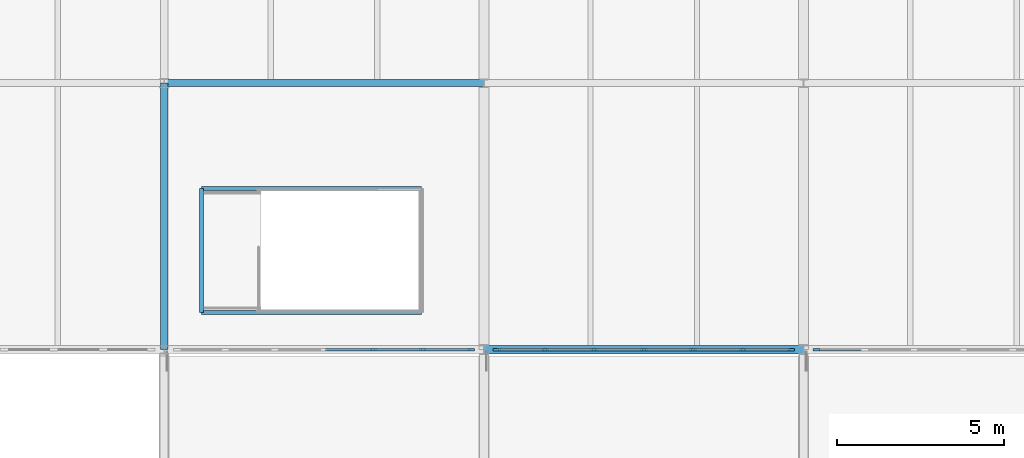
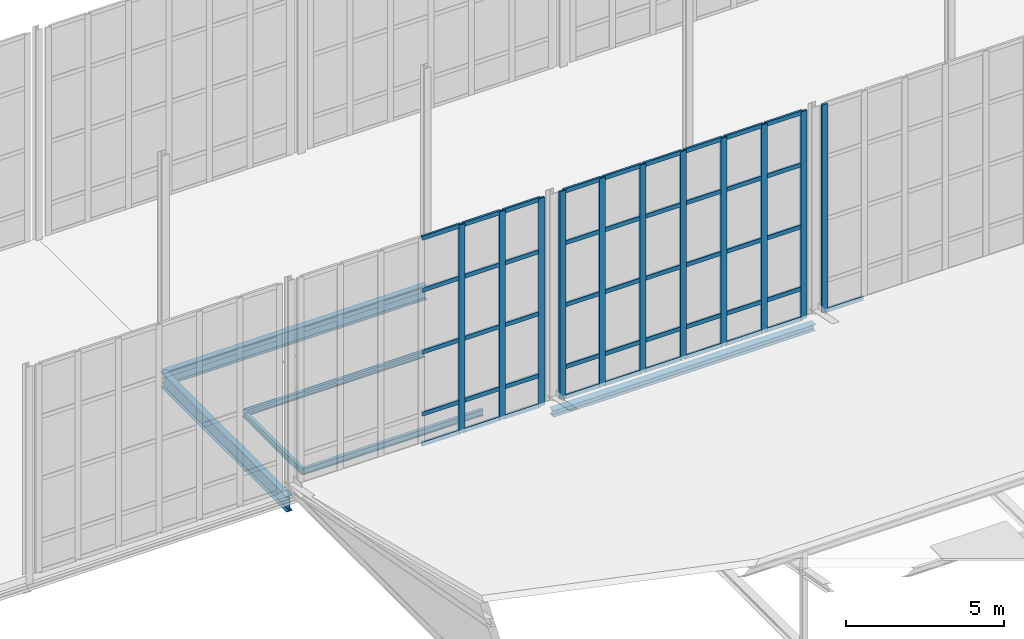
# One storey, part 36 of 73: 57 members, 6 beams, 3 elements without a shape of their own.
"""IFC4 building model written with IfcOpenShell, lengths in metres."""

import ifcopenshell
import ifcopenshell.guid

model = None  # the IFC model being written
_history = None  # IfcOwnerHistory: only IFC2X3 demands one
_inside = {}  # id of a spatial element -> (the spatial element, [elements in it])
_under = {}  # id of a project, library or spatial element -> (it, [spatial elements below it])
_declared = {}  # id of a project -> (the project, [libraries it declares])
_typed = {}  # id of a type object -> (the type object, [elements of that type])
_made_of = {}  # id of a material, layer set ... -> (it, [elements and type objects made of it])


def new_model(schema):
    """Start an empty IFC model of exactly this schema.

    Asked for "IFC4X3", IfcOpenShell would pick the latest addendum, in which some entities
    have other attributes; the version numbers below select the first issue.
    IFC2X3 requires an IfcOwnerHistory on every rooted entity: one is made here for all.
    """
    global model, _history
    if schema == "IFC4X3":
        model = ifcopenshell.file(schema_version=(4, 3, 0, 0))
    else:
        model = ifcopenshell.file(schema=schema)
    _inside.clear()
    _under.clear()
    _declared.clear()
    _typed.clear()
    _made_of.clear()
    _history = None
    if model.schema == "IFC2X3":
        org = make("IfcOrganization", Name="unknown")
        user = make(
            "IfcPersonAndOrganization",
            ThePerson=make("IfcPerson", FamilyName="unknown"),
            TheOrganization=org,
        )
        app = make(
            "IfcApplication",
            ApplicationDeveloper=org,
            Version="unknown",
            ApplicationFullName="unknown",
            ApplicationIdentifier="unknown",
        )
        _history = make(
            "IfcOwnerHistory",
            OwningUser=user,
            OwningApplication=app,
            ChangeAction="ADDED",
            CreationDate=0,
        )
    return model


def make(cls, **values):
    """One entity of the class cls with the attributes given. An attribute that is None is left unset."""
    return model.create_entity(
        cls, **{name: value for name, value in values.items() if value is not None}
    )


def rooted(cls, **values):
    """An entity with a GlobalId (a new one), such as an element, a storey or a relation."""
    return make(cls, GlobalId=ifcopenshell.guid.new(), OwnerHistory=_history, **values)


def si_unit(unit_type, name, prefix=None):
    """IfcSIUnit, for example si_unit("LENGTHUNIT", "METRE", prefix="MILLI")."""
    return make("IfcSIUnit", UnitType=unit_type, Prefix=prefix, Name=name)


def assignment(units):
    """IfcUnitAssignment: the units of a project."""
    return None if units is None else make("IfcUnitAssignment", Units=units)


def point(xyz):
    """IfcCartesianPoint."""
    return None if xyz is None else make("IfcCartesianPoint", Coordinates=xyz)


def direction(xyz):
    """IfcDirection."""
    return None if xyz is None else make("IfcDirection", DirectionRatios=xyz)


def frame(location, z_axis=None, x_axis=None):
    """IfcAxis2Placement3D, a coordinate frame: its origin and axes. An axis left out is left unset."""
    return make(
        "IfcAxis2Placement3D",
        Location=point(location),
        Axis=direction(z_axis),
        RefDirection=direction(x_axis),
    )


def frame_2d(location, x_axis=None):
    """IfcAxis2Placement2D, a coordinate frame in the plane: its origin and x axis."""
    return make(
        "IfcAxis2Placement2D", Location=point(location), RefDirection=direction(x_axis)
    )


def origin():
    """The frame at (0, 0, 0) with its axes left unset."""
    return frame((0.0, 0.0, 0.0))


def origin_2d():
    """The frame at (0, 0) in the plane with its x axis left unset."""
    return frame_2d((0.0, 0.0))


def place(relative_to, where):
    """IfcLocalPlacement: puts the frame where relative to a parent placement (None: the world)."""
    return make(
        "IfcLocalPlacement", PlacementRelTo=relative_to, RelativePlacement=where
    )


def context(
    kind, dimensions, precision=None, world=None, true_north=None, identifier=None
):
    """IfcGeometricRepresentationContext, for example the 3D "Model" context."""
    return make(
        "IfcGeometricRepresentationContext",
        ContextIdentifier=identifier,
        ContextType=kind,
        CoordinateSpaceDimension=dimensions,
        Precision=precision,
        WorldCoordinateSystem=world,
        TrueNorth=true_north,
    )


def subcontext(parent, identifier, kind, view, scale=None):
    """IfcGeometricRepresentationSubContext, for example "Body" below "Model"."""
    return make(
        "IfcGeometricRepresentationSubContext",
        ContextIdentifier=identifier,
        ContextType=kind,
        ParentContext=parent,
        TargetScale=scale,
        TargetView=view,
    )


def project(units=None, contexts=None):
    """IfcProject with its units and contexts."""
    return rooted(
        "IfcProject",
        Name="project",
        RepresentationContexts=contexts,
        UnitsInContext=assignment(units),
    )


def spatial(cls, under=None, at=None, **own):
    """A site, building, storey or space (cls), placed at a placement, below another one or the project."""
    s = rooted(cls, ObjectPlacement=at, **own)
    if under is not None:
        _under.setdefault(under.id(), (under, []))[1].append(s)
    return s


def profile(cls, at=None, kind="AREA", **sizes):
    """A parametric profile (cls). Its sizes go by their IFC names, for example OverallWidth=200.0."""
    return make(cls, ProfileType=kind, Position=at, **sizes)


def rectangle(**sizes):
    """IfcRectangleProfileDef."""
    return profile("IfcRectangleProfileDef", **sizes)


def i_section(**sizes):
    """IfcIShapeProfileDef."""
    return profile("IfcIShapeProfileDef", **sizes)


def extrude(swept, where, along, depth):
    """IfcExtrudedAreaSolid: the profile swept, set in the frame where, extruded along a direction by depth."""
    return make(
        "IfcExtrudedAreaSolid",
        SweptArea=swept,
        Position=where,
        ExtrudedDirection=direction(along),
        Depth=depth,
    )


def shape(context_of_items, identifier, shape_type, items):
    """IfcShapeRepresentation: the items that make up one representation, for example the "Body"."""
    return make(
        "IfcShapeRepresentation",
        ContextOfItems=context_of_items,
        RepresentationIdentifier=identifier,
        RepresentationType=shape_type,
        Items=items,
    )


def material(Name=None, Category=None):
    """IfcMaterial."""
    return make("IfcMaterial", Name=Name, Category=Category)


def layer(
    of_material, thickness, ventilated=None, Name=None, Category=None, Priority=None
):
    """IfcMaterialLayer: one layer of a wall or slab, of a material (None: an air gap)."""
    return make(
        "IfcMaterialLayer",
        Material=of_material,
        LayerThickness=thickness,
        IsVentilated=ventilated,
        Name=Name,
        Category=Category,
        Priority=Priority,
    )


def layer_set(layers, Name=None):
    """IfcMaterialLayerSet."""
    return make("IfcMaterialLayerSet", MaterialLayers=layers, LayerSetName=Name)


def material_profile(
    of_material, cross_section, Name=None, Category=None, Priority=None
):
    """IfcMaterialProfile: a cross section and its material."""
    return make(
        "IfcMaterialProfile",
        Name=Name,
        Material=of_material,
        Profile=cross_section,
        Priority=Priority,
        Category=Category,
    )


def profile_set(profiles, Name=None, composite=None):
    """IfcMaterialProfileSet."""
    return make(
        "IfcMaterialProfileSet",
        Name=Name,
        MaterialProfiles=profiles,
        CompositeProfile=composite,
    )


def made_of(thing, what):
    """Note that an element or type object is made of a material, layer set ...; save() writes the relation."""
    if what is not None:
        _made_of.setdefault(what.id(), (what, []))[1].append(thing)
    return thing


def type_object(cls, material=None, **own):
    """A type object (cls), such as IfcWallType, which elements share."""
    return made_of(rooted(cls, **own), material)


def element(
    cls,
    number,
    at=None,
    inside=None,
    cuts=None,
    type_object=None,
    material=None,
    context=None,
    identifier="Body",
    shape_type=None,
    held_by="IfcProductDefinitionShape",
    body=None,
    shapes=None,
    **own,
):
    """One element of the class cls, such as IfcWall. Its Tag is "e" and its number.

    at: its placement. inside: the storey or other place that contains it. cuts: it is an
    opening in that element (IfcRelVoidsElement). A single representation is given by context,
    identifier, shape_type and body (its items); several are given by shapes. held_by: the class
    of the entity that holds the representations. save() writes the other relations.
    """
    e = rooted(cls, Tag="e%d" % number, ObjectPlacement=at, **own)
    if body is not None:
        shapes = [shape(context, identifier, shape_type, body)]
    if shapes is not None:
        e.Representation = make(held_by, Representations=shapes)
    if inside is not None:
        _inside.setdefault(inside.id(), (inside, []))[1].append(e)
    if cuts is not None:
        rooted(
            "IfcRelVoidsElement", RelatingBuildingElement=cuts, RelatedOpeningElement=e
        )
    if type_object is not None:
        _typed.setdefault(type_object.id(), (type_object, []))[1].append(e)
    return made_of(e, material)


def aggregate(whole, parts):
    """IfcRelAggregates: a whole, such as a stair, and the parts it consists of."""
    return rooted("IfcRelAggregates", RelatingObject=whole, RelatedObjects=parts)


def save(model, path):
    """Write the relations noted so far, then the file.

    IfcRelAggregates (storeys below a building ...), IfcRelContainedInSpatialStructure (elements
    in a storey), IfcRelDefinesByType, IfcRelAssociatesMaterial and IfcRelDeclares: one each for
    every whole, place, type object, material and project.
    """
    for whole, parts in _under.values():
        aggregate(whole, parts)
    for where, things in _inside.values():
        rooted(
            "IfcRelContainedInSpatialStructure",
            RelatedElements=things,
            RelatingStructure=where,
        )
    for kind, things in _typed.values():
        rooted("IfcRelDefinesByType", RelatedObjects=things, RelatingType=kind)
    for what, things in _made_of.values():
        rooted("IfcRelAssociatesMaterial", RelatedObjects=things, RelatingMaterial=what)
    for by, libraries in _declared.values():
        rooted("IfcRelDeclares", RelatingContext=by, RelatedDefinitions=libraries)
    model.write(path)


model = new_model("IFC4")

# Units and contexts
model_context = context("Model", 3, precision=1e-05, world=origin(), true_north=direction((0.0, 1.0)))
body_context = subcontext(model_context, "Body", "Model", "MODEL_VIEW")
ifc_project = project(units=[si_unit("LENGTHUNIT", "METRE"), si_unit("AREAUNIT", "SQUARE_METRE"), si_unit("VOLUMEUNIT", "CUBIC_METRE"), si_unit("PLANEANGLEUNIT", "RADIAN"), si_unit("MASSUNIT", "GRAM", prefix="KILO")], contexts=[model_context])

# Site, building, storey
site_placement = place(None, origin())
site = spatial("IfcSite", under=ifc_project, at=site_placement, CompositionType="ELEMENT")
building_placement = place(site_placement, origin())
building = spatial("IfcBuilding", under=site, at=building_placement, Name="Alderhovde Museum", CompositionType="ELEMENT")
storey_placement = place(building_placement, frame((0.0, 0.0, 17.39990234375)))
storey = spatial("IfcBuildingStorey", under=building, at=storey_placement, Name="L04", CompositionType="ELEMENT", Elevation=17.39990234375)

# Beams
ifc_material_1 = material(Name="Steel S355J2", Category="steel")
ifc_material_profile_1 = material_profile(ifc_material_1, i_section(OverallWidth=0.1201171875, OverallDepth=0.239990234375, WebThickness=0.006103515625, FlangeThickness=0.009765625, FilletRadius=0.014892578125, at=origin_2d()), Name="IPE 240")
ifc_profile_set_1 = profile_set([ifc_material_profile_1], Name="Steel S355J2")
beam_type_1 = type_object("IfcBeamType", Name="BM-IPE240", PredefinedType="BEAM", material=ifc_profile_set_1)
for number, where, z_axis, x_axis, name in (
    (1, (77.919921875, 73.1201171875, -0.39990234375), (1.0, 0.0, 0.0), (0.0, 1.0, 0.0), "L04 Stair ST5 Floor Trimmer S"),
    (2, (77.919921875, 76.840087890625, -0.39990234375), (1.0, 0.0, 0.0), (0.0, 1.0, 0.0), "L04 Stair ST5 Floor Trimmer N"),
):
    element("IfcBeam", number, at=place(storey_placement, frame(where, z_axis=z_axis, x_axis=x_axis)), inside=storey, type_object=beam_type_1, Name=name, PredefinedType="BEAM", context=body_context, shape_type="SweptSolid", body=[
        extrude(i_section(OverallWidth=0.1201171875, OverallDepth=0.239990234375, WebThickness=0.006103515625, FlangeThickness=0.009765625, FilletRadius=0.014892578125, at=origin_2d()), origin(), (0.0, 0.0, 1.0), 6.60009765625),
    ])
beam_1_placement = place(storey_placement, frame((77.919921875, 73.1201171875, -0.39990234375), z_axis=(0.0, 1.0, 0.0), x_axis=(-1.0, 0.0, 0.0)))
element("IfcBeam", 3, at=beam_1_placement, inside=storey, type_object=beam_type_1, Name="L04 Stair ST5 Floor Trimmer W", PredefinedType="BEAM", context=body_context, shape_type="SweptSolid", body=[
    extrude(i_section(OverallWidth=0.1201171875, OverallDepth=0.239990234375, WebThickness=0.006103515625, FlangeThickness=0.009765625, FilletRadius=0.014892578125, at=origin_2d()), origin(), (0.0, 0.0, 1.0), 3.719970703125),
])
ifc_material_2 = material(Name="Steel S355J2", Category="steel")
ifc_material_profile_2 = material_profile(ifc_material_2, i_section(OverallWidth=0.2099609375, OverallDepth=0.550048828125, WebThickness=0.010986328125, FlangeThickness=0.01708984375, FilletRadius=0.02392578125, at=origin_2d()), Name="IPE 550")
ifc_profile_set_2 = profile_set([ifc_material_profile_2], Name="Steel S355J2")
beam_type_2 = type_object("IfcBeamType", Name="BM-IPE550", PredefinedType="BEAM", material=ifc_profile_set_2)
beam_2_placement = place(storey_placement, frame((76.800048828125, 80.0, -0.554931640625), z_axis=(1.0, 0.0, 0.0), x_axis=(0.0, 1.0, 0.0)))
element("IfcBeam", 4, at=beam_2_placement, inside=storey, type_object=beam_type_2, Name="L04 Grid Beam Y=80.0 (76.8 TO 86.4)", PredefinedType="BEAM", context=body_context, shape_type="SweptSolid", body=[
    extrude(i_section(OverallWidth=0.2099609375, OverallDepth=0.550048828125, WebThickness=0.010986328125, FlangeThickness=0.01708984375, FilletRadius=0.02392578125, at=origin_2d()), origin(), (0.0, 0.0, 1.0), 9.599853515625),
])
ifc_material_3 = material(Name="Steel S355J2", Category="steel")
ifc_material_profile_3 = material_profile(ifc_material_3, i_section(OverallWidth=0.219970703125, OverallDepth=0.60009765625, WebThickness=0.011962890625, FlangeThickness=0.01904296875, FilletRadius=0.02392578125, at=origin_2d()), Name="IPE 600")
ifc_profile_set_3 = profile_set([ifc_material_profile_3], Name="Steel S355J2")
beam_type_3 = type_object("IfcBeamType", Name="BM-IPE600", PredefinedType="BEAM", material=ifc_profile_set_3)
beam_3_placement = place(storey_placement, frame((76.800048828125, 72.0, -0.579833984375), z_axis=(0.0, 1.0, 0.0), x_axis=(-1.0, 0.0, 0.0)))
element("IfcBeam", 5, at=beam_3_placement, inside=storey, type_object=beam_type_3, Name="L04 Grid Beam X=76.8 (72.0 TO 80.0)", PredefinedType="BEAM", context=body_context, shape_type="SweptSolid", body=[
    extrude(i_section(OverallWidth=0.219970703125, OverallDepth=0.60009765625, WebThickness=0.011962890625, FlangeThickness=0.01904296875, FilletRadius=0.02392578125, at=origin_2d()), origin(), (0.0, 0.0, 1.0), 8.0),
])

# Curtain wall, members
ifc_material_4 = material(Name="Triple-Glazed Bronze-Anodised Curtain Wall", Category="glass")
ifc_layer = layer(ifc_material_4, 0.219970703125)
ifc_layer_set = layer_set([ifc_layer], Name="Triple-Glazed Bronze-Anodised Curtain Wall")
curtain_wall_type = type_object("IfcCurtainWallType", Name="CW-UNIT-890x805", PredefinedType="USERDEFINED", material=ifc_layer_set)
curtain_wall_1_placement = place(storey_placement, origin())
curtain_wall_1 = element("IfcCurtainWall", 6, at=curtain_wall_1_placement, inside=storey, type_object=curtain_wall_type, Name="L04 Unitised Curtain Wall 82", ObjectType="UNITISED CURTAIN WALL", PredefinedType="USERDEFINED")
ifc_material_5 = material(Name="Bronze-Anodised Aluminium EN AW-6063-T6", Category="aluminium")
ifc_material_profile_4 = material_profile(ifc_material_5, rectangle(XDim=0.074951171875, YDim=0.219970703125, at=origin_2d()), Name="MULLION 75x220")
ifc_profile_set_4 = profile_set([ifc_material_profile_4], Name="Bronze-Anodised Aluminium EN AW-6063-T6")
member_type_1 = type_object("IfcMemberType", Name="CWM-75x220", PredefinedType="MULLION", material=ifc_profile_set_4)
member_1_placement = place(storey_placement, frame((83.083251953125, 72.0, 0.0), z_axis=(0.0, 0.0, 1.0), x_axis=(0.0, 1.0, 0.0)))
member_1 = element("IfcMember", 7, at=member_1_placement, type_object=member_type_1, Name="CW21 mullion 5", PredefinedType="MULLION", context=body_context, shape_type="SweptSolid", body=[
    extrude(rectangle(XDim=0.074951171875, YDim=0.219970703125, at=origin_2d()), origin(), (0.0, 0.0, 1.0), 8.050048828125),
])
member_2_placement = place(storey_placement, frame((84.566650390625, 72.0, 0.0), z_axis=(0.0, 0.0, 1.0), x_axis=(0.0, 1.0, 0.0)))
member_2 = element("IfcMember", 8, at=member_2_placement, type_object=member_type_1, Name="CW21 mullion 6", PredefinedType="MULLION", context=body_context, shape_type="SweptSolid", body=[
    extrude(rectangle(XDim=0.074951171875, YDim=0.219970703125, at=origin_2d()), origin(), (0.0, 0.0, 1.0), 8.050048828125),
])
member_3_placement = place(storey_placement, frame((86.012451171875, 72.0, 0.0), z_axis=(0.0, 0.0, 1.0), x_axis=(0.0, 1.0, 0.0)))
member_3 = element("IfcMember", 9, at=member_3_placement, type_object=member_type_1, Name="CW21 mullion 7", PredefinedType="MULLION", context=body_context, shape_type="SweptSolid", body=[
    extrude(rectangle(XDim=0.074951171875, YDim=0.219970703125, at=origin_2d()), origin(), (0.0, 0.0, 1.0), 8.050048828125),
])

curtain_wall_2_placement = place(storey_placement, origin())
curtain_wall_2 = element("IfcCurtainWall", 10, at=curtain_wall_2_placement, inside=storey, type_object=curtain_wall_type, Name="L04 Unitised Curtain Wall 84", ObjectType="UNITISED CURTAIN WALL", PredefinedType="USERDEFINED")
member_4_placement = place(storey_placement, frame((86.78759765625, 72.0, 0.0), z_axis=(0.0, 0.0, 1.0), x_axis=(0.0, 1.0, 0.0)))
member_4 = element("IfcMember", 11, at=member_4_placement, type_object=member_type_1, Name="CW21 mullion 1", PredefinedType="MULLION", context=body_context, shape_type="SweptSolid", body=[
    extrude(rectangle(XDim=0.074951171875, YDim=0.219970703125, at=origin_2d()), origin(), (0.0, 0.0, 1.0), 8.050048828125),
])
member_5_placement = place(storey_placement, frame((88.2333984375, 72.0, 0.0), z_axis=(0.0, 0.0, 1.0), x_axis=(0.0, 1.0, 0.0)))
member_5 = element("IfcMember", 12, at=member_5_placement, type_object=member_type_1, Name="CW21 mullion 2", PredefinedType="MULLION", context=body_context, shape_type="SweptSolid", body=[
    extrude(rectangle(XDim=0.074951171875, YDim=0.219970703125, at=origin_2d()), origin(), (0.0, 0.0, 1.0), 8.050048828125),
])
member_6_placement = place(storey_placement, frame((89.716552734375, 72.0, 0.0), z_axis=(0.0, 0.0, 1.0), x_axis=(0.0, 1.0, 0.0)))
member_6 = element("IfcMember", 13, at=member_6_placement, type_object=member_type_1, Name="CW21 mullion 3", PredefinedType="MULLION", context=body_context, shape_type="SweptSolid", body=[
    extrude(rectangle(XDim=0.074951171875, YDim=0.219970703125, at=origin_2d()), origin(), (0.0, 0.0, 1.0), 8.050048828125),
])
member_7_placement = place(storey_placement, frame((91.199951171875, 72.0, 0.0), z_axis=(0.0, 0.0, 1.0), x_axis=(0.0, 1.0, 0.0)))
member_7 = element("IfcMember", 14, at=member_7_placement, type_object=member_type_1, Name="CW21 mullion 4", PredefinedType="MULLION", context=body_context, shape_type="SweptSolid", body=[
    extrude(rectangle(XDim=0.074951171875, YDim=0.219970703125, at=origin_2d()), origin(), (0.0, 0.0, 1.0), 8.050048828125),
])
member_8_placement = place(storey_placement, frame((92.683349609375, 72.0, 0.0), z_axis=(0.0, 0.0, 1.0), x_axis=(0.0, 1.0, 0.0)))
member_8 = element("IfcMember", 15, at=member_8_placement, type_object=member_type_1, Name="CW21 mullion 5", PredefinedType="MULLION", context=body_context, shape_type="SweptSolid", body=[
    extrude(rectangle(XDim=0.074951171875, YDim=0.219970703125, at=origin_2d()), origin(), (0.0, 0.0, 1.0), 8.050048828125),
])
member_9_placement = place(storey_placement, frame((94.166748046875, 72.0, 0.0), z_axis=(0.0, 0.0, 1.0), x_axis=(0.0, 1.0, 0.0)))
member_9 = element("IfcMember", 16, at=member_9_placement, type_object=member_type_1, Name="CW21 mullion 6", PredefinedType="MULLION", context=body_context, shape_type="SweptSolid", body=[
    extrude(rectangle(XDim=0.074951171875, YDim=0.219970703125, at=origin_2d()), origin(), (0.0, 0.0, 1.0), 8.050048828125),
])
member_10_placement = place(storey_placement, frame((95.612548828125, 72.0, 0.0), z_axis=(0.0, 0.0, 1.0), x_axis=(0.0, 1.0, 0.0)))
member_10 = element("IfcMember", 17, at=member_10_placement, type_object=member_type_1, Name="CW21 mullion 7", PredefinedType="MULLION", context=body_context, shape_type="SweptSolid", body=[
    extrude(rectangle(XDim=0.074951171875, YDim=0.219970703125, at=origin_2d()), origin(), (0.0, 0.0, 1.0), 8.050048828125),
])

# Curtain wall, member
curtain_wall_3_placement = place(storey_placement, origin())
curtain_wall_3 = element("IfcCurtainWall", 18, at=curtain_wall_3_placement, inside=storey, type_object=curtain_wall_type, Name="L04 Unitised Curtain Wall 86", ObjectType="UNITISED CURTAIN WALL", PredefinedType="USERDEFINED")
member_11_placement = place(storey_placement, frame((96.387451171875, 72.0, 0.0), z_axis=(0.0, 0.0, 1.0), x_axis=(0.0, 1.0, 0.0)))
member_11 = element("IfcMember", 19, at=member_11_placement, type_object=member_type_1, Name="CW21 mullion 1", PredefinedType="MULLION", context=body_context, shape_type="SweptSolid", body=[
    extrude(rectangle(XDim=0.074951171875, YDim=0.219970703125, at=origin_2d()), origin(), (0.0, 0.0, 1.0), 8.050048828125),
])

# Member
ifc_material_6 = material(Name="Bronze-Anodised Aluminium EN AW-6063-T6", Category="aluminium")
ifc_material_profile_5 = material_profile(ifc_material_6, rectangle(XDim=0.074951171875, YDim=0.159912109375, at=origin_2d()), Name="TRANSOM 75x160")
ifc_profile_set_5 = profile_set([ifc_material_profile_5], Name="Bronze-Anodised Aluminium EN AW-6063-T6")
member_type_2 = type_object("IfcMemberType", Name="CWT-75x160", PredefinedType="USERDEFINED", material=ifc_profile_set_5)
member_12_placement = place(storey_placement, frame((81.637451171875, 72.0, 0.03759765625), z_axis=(1.0, 0.0, 0.0), x_axis=(0.0, 1.0, 0.0)))
member_12 = element("IfcMember", 20, at=member_12_placement, type_object=member_type_2, Name="CW21 transom 4.1", ObjectType="TRANSOM", PredefinedType="USERDEFINED", context=body_context, shape_type="SweptSolid", body=[
    extrude(rectangle(XDim=0.074951171875, YDim=0.159912109375, at=origin_2d()), origin(), (0.0, 0.0, 1.0), 1.408447265625),
])

member_13_placement = place(storey_placement, frame((81.637451171875, 72.0, 1.2001953125), z_axis=(1.0, 0.0, 0.0), x_axis=(0.0, 1.0, 0.0)))
member_13 = element("IfcMember", 21, at=member_13_placement, type_object=member_type_2, Name="CW21 transom 4.2", ObjectType="TRANSOM", PredefinedType="USERDEFINED", context=body_context, shape_type="SweptSolid", body=[
    extrude(rectangle(XDim=0.074951171875, YDim=0.159912109375, at=origin_2d()), origin(), (0.0, 0.0, 1.0), 1.408447265625),
])

member_14_placement = place(storey_placement, frame((81.637451171875, 72.0, 3.60009765625), z_axis=(1.0, 0.0, 0.0), x_axis=(0.0, 1.0, 0.0)))
member_14 = element("IfcMember", 22, at=member_14_placement, type_object=member_type_2, Name="CW21 transom 4.3", ObjectType="TRANSOM", PredefinedType="USERDEFINED", context=body_context, shape_type="SweptSolid", body=[
    extrude(rectangle(XDim=0.074951171875, YDim=0.159912109375, at=origin_2d()), origin(), (0.0, 0.0, 1.0), 1.408447265625),
])

member_15_placement = place(storey_placement, frame((81.637451171875, 72.0, 6.0), z_axis=(1.0, 0.0, 0.0), x_axis=(0.0, 1.0, 0.0)))
member_15 = element("IfcMember", 23, at=member_15_placement, type_object=member_type_2, Name="CW21 transom 4.4", ObjectType="TRANSOM", PredefinedType="USERDEFINED", context=body_context, shape_type="SweptSolid", body=[
    extrude(rectangle(XDim=0.074951171875, YDim=0.159912109375, at=origin_2d()), origin(), (0.0, 0.0, 1.0), 1.408447265625),
])

member_16_placement = place(storey_placement, frame((81.637451171875, 72.0, 8.0126953125), z_axis=(1.0, 0.0, 0.0), x_axis=(0.0, 1.0, 0.0)))
member_16 = element("IfcMember", 24, at=member_16_placement, type_object=member_type_2, Name="CW21 transom 4.5", ObjectType="TRANSOM", PredefinedType="USERDEFINED", context=body_context, shape_type="SweptSolid", body=[
    extrude(rectangle(XDim=0.074951171875, YDim=0.159912109375, at=origin_2d()), origin(), (0.0, 0.0, 1.0), 1.408447265625),
])

member_17_placement = place(storey_placement, frame((83.120849609375, 72.0, 0.03759765625), z_axis=(1.0, 0.0, 0.0), x_axis=(0.0, 1.0, 0.0)))
member_17 = element("IfcMember", 25, at=member_17_placement, type_object=member_type_2, Name="CW21 transom 5.1", ObjectType="TRANSOM", PredefinedType="USERDEFINED", context=body_context, shape_type="SweptSolid", body=[
    extrude(rectangle(XDim=0.074951171875, YDim=0.159912109375, at=origin_2d()), origin(), (0.0, 0.0, 1.0), 1.408203125),
])

member_18_placement = place(storey_placement, frame((83.120849609375, 72.0, 1.2001953125), z_axis=(1.0, 0.0, 0.0), x_axis=(0.0, 1.0, 0.0)))
member_18 = element("IfcMember", 26, at=member_18_placement, type_object=member_type_2, Name="CW21 transom 5.2", ObjectType="TRANSOM", PredefinedType="USERDEFINED", context=body_context, shape_type="SweptSolid", body=[
    extrude(rectangle(XDim=0.074951171875, YDim=0.159912109375, at=origin_2d()), origin(), (0.0, 0.0, 1.0), 1.408203125),
])

member_19_placement = place(storey_placement, frame((83.120849609375, 72.0, 3.60009765625), z_axis=(1.0, 0.0, 0.0), x_axis=(0.0, 1.0, 0.0)))
member_19 = element("IfcMember", 27, at=member_19_placement, type_object=member_type_2, Name="CW21 transom 5.3", ObjectType="TRANSOM", PredefinedType="USERDEFINED", context=body_context, shape_type="SweptSolid", body=[
    extrude(rectangle(XDim=0.074951171875, YDim=0.159912109375, at=origin_2d()), origin(), (0.0, 0.0, 1.0), 1.408203125),
])

member_20_placement = place(storey_placement, frame((83.120849609375, 72.0, 6.0), z_axis=(1.0, 0.0, 0.0), x_axis=(0.0, 1.0, 0.0)))
member_20 = element("IfcMember", 28, at=member_20_placement, type_object=member_type_2, Name="CW21 transom 5.4", ObjectType="TRANSOM", PredefinedType="USERDEFINED", context=body_context, shape_type="SweptSolid", body=[
    extrude(rectangle(XDim=0.074951171875, YDim=0.159912109375, at=origin_2d()), origin(), (0.0, 0.0, 1.0), 1.408203125),
])

member_21_placement = place(storey_placement, frame((83.120849609375, 72.0, 8.0126953125), z_axis=(1.0, 0.0, 0.0), x_axis=(0.0, 1.0, 0.0)))
member_21 = element("IfcMember", 29, at=member_21_placement, type_object=member_type_2, Name="CW21 transom 5.5", ObjectType="TRANSOM", PredefinedType="USERDEFINED", context=body_context, shape_type="SweptSolid", body=[
    extrude(rectangle(XDim=0.074951171875, YDim=0.159912109375, at=origin_2d()), origin(), (0.0, 0.0, 1.0), 1.408203125),
])

member_22_placement = place(storey_placement, frame((84.604248046875, 72.0, 0.03759765625), z_axis=(1.0, 0.0, 0.0), x_axis=(0.0, 1.0, 0.0)))
member_22 = element("IfcMember", 30, at=member_22_placement, type_object=member_type_2, Name="CW21 transom 6.1", ObjectType="TRANSOM", PredefinedType="USERDEFINED", context=body_context, shape_type="SweptSolid", body=[
    extrude(rectangle(XDim=0.074951171875, YDim=0.159912109375, at=origin_2d()), origin(), (0.0, 0.0, 1.0), 1.370849609375),
])

member_23_placement = place(storey_placement, frame((84.604248046875, 72.0, 1.2001953125), z_axis=(1.0, 0.0, 0.0), x_axis=(0.0, 1.0, 0.0)))
member_23 = element("IfcMember", 31, at=member_23_placement, type_object=member_type_2, Name="CW21 transom 6.2", ObjectType="TRANSOM", PredefinedType="USERDEFINED", context=body_context, shape_type="SweptSolid", body=[
    extrude(rectangle(XDim=0.074951171875, YDim=0.159912109375, at=origin_2d()), origin(), (0.0, 0.0, 1.0), 1.370849609375),
])

member_24_placement = place(storey_placement, frame((84.604248046875, 72.0, 3.60009765625), z_axis=(1.0, 0.0, 0.0), x_axis=(0.0, 1.0, 0.0)))
member_24 = element("IfcMember", 32, at=member_24_placement, type_object=member_type_2, Name="CW21 transom 6.3", ObjectType="TRANSOM", PredefinedType="USERDEFINED", context=body_context, shape_type="SweptSolid", body=[
    extrude(rectangle(XDim=0.074951171875, YDim=0.159912109375, at=origin_2d()), origin(), (0.0, 0.0, 1.0), 1.370849609375),
])

member_25_placement = place(storey_placement, frame((84.604248046875, 72.0, 6.0), z_axis=(1.0, 0.0, 0.0), x_axis=(0.0, 1.0, 0.0)))
member_25 = element("IfcMember", 33, at=member_25_placement, type_object=member_type_2, Name="CW21 transom 6.4", ObjectType="TRANSOM", PredefinedType="USERDEFINED", context=body_context, shape_type="SweptSolid", body=[
    extrude(rectangle(XDim=0.074951171875, YDim=0.159912109375, at=origin_2d()), origin(), (0.0, 0.0, 1.0), 1.370849609375),
])

member_26_placement = place(storey_placement, frame((84.604248046875, 72.0, 8.0126953125), z_axis=(1.0, 0.0, 0.0), x_axis=(0.0, 1.0, 0.0)))
member_26 = element("IfcMember", 34, at=member_26_placement, type_object=member_type_2, Name="CW21 transom 6.5", ObjectType="TRANSOM", PredefinedType="USERDEFINED", context=body_context, shape_type="SweptSolid", body=[
    extrude(rectangle(XDim=0.074951171875, YDim=0.159912109375, at=origin_2d()), origin(), (0.0, 0.0, 1.0), 1.370849609375),
])

aggregate(curtain_wall_1, [member_1, member_2, member_3, member_12, member_13, member_14, member_15, member_16, member_17, member_18, member_19, member_20, member_21, member_22, member_23, member_24, member_25, member_26])

member_27_placement = place(storey_placement, frame((86.824951171875, 72.0, 0.03759765625), z_axis=(1.0, 0.0, 0.0), x_axis=(0.0, 1.0, 0.0)))
member_27 = element("IfcMember", 35, at=member_27_placement, type_object=member_type_2, Name="CW21 transom 1.1", ObjectType="TRANSOM", PredefinedType="USERDEFINED", context=body_context, shape_type="SweptSolid", body=[
    extrude(rectangle(XDim=0.074951171875, YDim=0.159912109375, at=origin_2d()), origin(), (0.0, 0.0, 1.0), 1.370849609375),
])

member_28_placement = place(storey_placement, frame((86.824951171875, 72.0, 1.2001953125), z_axis=(1.0, 0.0, 0.0), x_axis=(0.0, 1.0, 0.0)))
member_28 = element("IfcMember", 36, at=member_28_placement, type_object=member_type_2, Name="CW21 transom 1.2", ObjectType="TRANSOM", PredefinedType="USERDEFINED", context=body_context, shape_type="SweptSolid", body=[
    extrude(rectangle(XDim=0.074951171875, YDim=0.159912109375, at=origin_2d()), origin(), (0.0, 0.0, 1.0), 1.370849609375),
])

member_29_placement = place(storey_placement, frame((86.824951171875, 72.0, 3.60009765625), z_axis=(1.0, 0.0, 0.0), x_axis=(0.0, 1.0, 0.0)))
member_29 = element("IfcMember", 37, at=member_29_placement, type_object=member_type_2, Name="CW21 transom 1.3", ObjectType="TRANSOM", PredefinedType="USERDEFINED", context=body_context, shape_type="SweptSolid", body=[
    extrude(rectangle(XDim=0.074951171875, YDim=0.159912109375, at=origin_2d()), origin(), (0.0, 0.0, 1.0), 1.370849609375),
])

member_30_placement = place(storey_placement, frame((86.824951171875, 72.0, 6.0), z_axis=(1.0, 0.0, 0.0), x_axis=(0.0, 1.0, 0.0)))
member_30 = element("IfcMember", 38, at=member_30_placement, type_object=member_type_2, Name="CW21 transom 1.4", ObjectType="TRANSOM", PredefinedType="USERDEFINED", context=body_context, shape_type="SweptSolid", body=[
    extrude(rectangle(XDim=0.074951171875, YDim=0.159912109375, at=origin_2d()), origin(), (0.0, 0.0, 1.0), 1.370849609375),
])

member_31_placement = place(storey_placement, frame((86.824951171875, 72.0, 8.0126953125), z_axis=(1.0, 0.0, 0.0), x_axis=(0.0, 1.0, 0.0)))
member_31 = element("IfcMember", 39, at=member_31_placement, type_object=member_type_2, Name="CW21 transom 1.5", ObjectType="TRANSOM", PredefinedType="USERDEFINED", context=body_context, shape_type="SweptSolid", body=[
    extrude(rectangle(XDim=0.074951171875, YDim=0.159912109375, at=origin_2d()), origin(), (0.0, 0.0, 1.0), 1.370849609375),
])

member_32_placement = place(storey_placement, frame((88.270751953125, 72.0, 0.03759765625), z_axis=(1.0, 0.0, 0.0), x_axis=(0.0, 1.0, 0.0)))
member_32 = element("IfcMember", 40, at=member_32_placement, type_object=member_type_2, Name="CW21 transom 2.1", ObjectType="TRANSOM", PredefinedType="USERDEFINED", context=body_context, shape_type="SweptSolid", body=[
    extrude(rectangle(XDim=0.074951171875, YDim=0.159912109375, at=origin_2d()), origin(), (0.0, 0.0, 1.0), 1.408447265625),
])

member_33_placement = place(storey_placement, frame((88.270751953125, 72.0, 1.2001953125), z_axis=(1.0, 0.0, 0.0), x_axis=(0.0, 1.0, 0.0)))
member_33 = element("IfcMember", 41, at=member_33_placement, type_object=member_type_2, Name="CW21 transom 2.2", ObjectType="TRANSOM", PredefinedType="USERDEFINED", context=body_context, shape_type="SweptSolid", body=[
    extrude(rectangle(XDim=0.074951171875, YDim=0.159912109375, at=origin_2d()), origin(), (0.0, 0.0, 1.0), 1.408447265625),
])

member_34_placement = place(storey_placement, frame((88.270751953125, 72.0, 3.60009765625), z_axis=(1.0, 0.0, 0.0), x_axis=(0.0, 1.0, 0.0)))
member_34 = element("IfcMember", 42, at=member_34_placement, type_object=member_type_2, Name="CW21 transom 2.3", ObjectType="TRANSOM", PredefinedType="USERDEFINED", context=body_context, shape_type="SweptSolid", body=[
    extrude(rectangle(XDim=0.074951171875, YDim=0.159912109375, at=origin_2d()), origin(), (0.0, 0.0, 1.0), 1.408447265625),
])

member_35_placement = place(storey_placement, frame((88.270751953125, 72.0, 6.0), z_axis=(1.0, 0.0, 0.0), x_axis=(0.0, 1.0, 0.0)))
member_35 = element("IfcMember", 43, at=member_35_placement, type_object=member_type_2, Name="CW21 transom 2.4", ObjectType="TRANSOM", PredefinedType="USERDEFINED", context=body_context, shape_type="SweptSolid", body=[
    extrude(rectangle(XDim=0.074951171875, YDim=0.159912109375, at=origin_2d()), origin(), (0.0, 0.0, 1.0), 1.408447265625),
])

member_36_placement = place(storey_placement, frame((88.270751953125, 72.0, 8.0126953125), z_axis=(1.0, 0.0, 0.0), x_axis=(0.0, 1.0, 0.0)))
member_36 = element("IfcMember", 44, at=member_36_placement, type_object=member_type_2, Name="CW21 transom 2.5", ObjectType="TRANSOM", PredefinedType="USERDEFINED", context=body_context, shape_type="SweptSolid", body=[
    extrude(rectangle(XDim=0.074951171875, YDim=0.159912109375, at=origin_2d()), origin(), (0.0, 0.0, 1.0), 1.408447265625),
])

member_37_placement = place(storey_placement, frame((89.754150390625, 72.0, 0.03759765625), z_axis=(1.0, 0.0, 0.0), x_axis=(0.0, 1.0, 0.0)))
member_37 = element("IfcMember", 45, at=member_37_placement, type_object=member_type_2, Name="CW21 transom 3.1", ObjectType="TRANSOM", PredefinedType="USERDEFINED", context=body_context, shape_type="SweptSolid", body=[
    extrude(rectangle(XDim=0.074951171875, YDim=0.159912109375, at=origin_2d()), origin(), (0.0, 0.0, 1.0), 1.408447265625),
])

member_38_placement = place(storey_placement, frame((89.754150390625, 72.0, 1.2001953125), z_axis=(1.0, 0.0, 0.0), x_axis=(0.0, 1.0, 0.0)))
member_38 = element("IfcMember", 46, at=member_38_placement, type_object=member_type_2, Name="CW21 transom 3.2", ObjectType="TRANSOM", PredefinedType="USERDEFINED", context=body_context, shape_type="SweptSolid", body=[
    extrude(rectangle(XDim=0.074951171875, YDim=0.159912109375, at=origin_2d()), origin(), (0.0, 0.0, 1.0), 1.408447265625),
])

member_39_placement = place(storey_placement, frame((89.754150390625, 72.0, 3.60009765625), z_axis=(1.0, 0.0, 0.0), x_axis=(0.0, 1.0, 0.0)))
member_39 = element("IfcMember", 47, at=member_39_placement, type_object=member_type_2, Name="CW21 transom 3.3", ObjectType="TRANSOM", PredefinedType="USERDEFINED", context=body_context, shape_type="SweptSolid", body=[
    extrude(rectangle(XDim=0.074951171875, YDim=0.159912109375, at=origin_2d()), origin(), (0.0, 0.0, 1.0), 1.408447265625),
])

member_40_placement = place(storey_placement, frame((89.754150390625, 72.0, 6.0), z_axis=(1.0, 0.0, 0.0), x_axis=(0.0, 1.0, 0.0)))
member_40 = element("IfcMember", 48, at=member_40_placement, type_object=member_type_2, Name="CW21 transom 3.4", ObjectType="TRANSOM", PredefinedType="USERDEFINED", context=body_context, shape_type="SweptSolid", body=[
    extrude(rectangle(XDim=0.074951171875, YDim=0.159912109375, at=origin_2d()), origin(), (0.0, 0.0, 1.0), 1.408447265625),
])

member_41_placement = place(storey_placement, frame((89.754150390625, 72.0, 8.0126953125), z_axis=(1.0, 0.0, 0.0), x_axis=(0.0, 1.0, 0.0)))
member_41 = element("IfcMember", 49, at=member_41_placement, type_object=member_type_2, Name="CW21 transom 3.5", ObjectType="TRANSOM", PredefinedType="USERDEFINED", context=body_context, shape_type="SweptSolid", body=[
    extrude(rectangle(XDim=0.074951171875, YDim=0.159912109375, at=origin_2d()), origin(), (0.0, 0.0, 1.0), 1.408447265625),
])

member_42_placement = place(storey_placement, frame((91.237548828125, 72.0, 0.03759765625), z_axis=(1.0, 0.0, 0.0), x_axis=(0.0, 1.0, 0.0)))
member_42 = element("IfcMember", 50, at=member_42_placement, type_object=member_type_2, Name="CW21 transom 4.1", ObjectType="TRANSOM", PredefinedType="USERDEFINED", context=body_context, shape_type="SweptSolid", body=[
    extrude(rectangle(XDim=0.074951171875, YDim=0.159912109375, at=origin_2d()), origin(), (0.0, 0.0, 1.0), 1.408203125),
])

member_43_placement = place(storey_placement, frame((91.237548828125, 72.0, 1.2001953125), z_axis=(1.0, 0.0, 0.0), x_axis=(0.0, 1.0, 0.0)))
member_43 = element("IfcMember", 51, at=member_43_placement, type_object=member_type_2, Name="CW21 transom 4.2", ObjectType="TRANSOM", PredefinedType="USERDEFINED", context=body_context, shape_type="SweptSolid", body=[
    extrude(rectangle(XDim=0.074951171875, YDim=0.159912109375, at=origin_2d()), origin(), (0.0, 0.0, 1.0), 1.408203125),
])

member_44_placement = place(storey_placement, frame((91.237548828125, 72.0, 3.60009765625), z_axis=(1.0, 0.0, 0.0), x_axis=(0.0, 1.0, 0.0)))
member_44 = element("IfcMember", 52, at=member_44_placement, type_object=member_type_2, Name="CW21 transom 4.3", ObjectType="TRANSOM", PredefinedType="USERDEFINED", context=body_context, shape_type="SweptSolid", body=[
    extrude(rectangle(XDim=0.074951171875, YDim=0.159912109375, at=origin_2d()), origin(), (0.0, 0.0, 1.0), 1.408203125),
])

member_45_placement = place(storey_placement, frame((91.237548828125, 72.0, 6.0), z_axis=(1.0, 0.0, 0.0), x_axis=(0.0, 1.0, 0.0)))
member_45 = element("IfcMember", 53, at=member_45_placement, type_object=member_type_2, Name="CW21 transom 4.4", ObjectType="TRANSOM", PredefinedType="USERDEFINED", context=body_context, shape_type="SweptSolid", body=[
    extrude(rectangle(XDim=0.074951171875, YDim=0.159912109375, at=origin_2d()), origin(), (0.0, 0.0, 1.0), 1.408203125),
])

member_46_placement = place(storey_placement, frame((91.237548828125, 72.0, 8.0126953125), z_axis=(1.0, 0.0, 0.0), x_axis=(0.0, 1.0, 0.0)))
member_46 = element("IfcMember", 54, at=member_46_placement, type_object=member_type_2, Name="CW21 transom 4.5", ObjectType="TRANSOM", PredefinedType="USERDEFINED", context=body_context, shape_type="SweptSolid", body=[
    extrude(rectangle(XDim=0.074951171875, YDim=0.159912109375, at=origin_2d()), origin(), (0.0, 0.0, 1.0), 1.408203125),
])

member_47_placement = place(storey_placement, frame((92.720947265625, 72.0, 0.03759765625), z_axis=(1.0, 0.0, 0.0), x_axis=(0.0, 1.0, 0.0)))
member_47 = element("IfcMember", 55, at=member_47_placement, type_object=member_type_2, Name="CW21 transom 5.1", ObjectType="TRANSOM", PredefinedType="USERDEFINED", context=body_context, shape_type="SweptSolid", body=[
    extrude(rectangle(XDim=0.074951171875, YDim=0.159912109375, at=origin_2d()), origin(), (0.0, 0.0, 1.0), 1.408203125),
])

member_48_placement = place(storey_placement, frame((92.720947265625, 72.0, 1.2001953125), z_axis=(1.0, 0.0, 0.0), x_axis=(0.0, 1.0, 0.0)))
member_48 = element("IfcMember", 56, at=member_48_placement, type_object=member_type_2, Name="CW21 transom 5.2", ObjectType="TRANSOM", PredefinedType="USERDEFINED", context=body_context, shape_type="SweptSolid", body=[
    extrude(rectangle(XDim=0.074951171875, YDim=0.159912109375, at=origin_2d()), origin(), (0.0, 0.0, 1.0), 1.408203125),
])

member_49_placement = place(storey_placement, frame((92.720947265625, 72.0, 3.60009765625), z_axis=(1.0, 0.0, 0.0), x_axis=(0.0, 1.0, 0.0)))
member_49 = element("IfcMember", 57, at=member_49_placement, type_object=member_type_2, Name="CW21 transom 5.3", ObjectType="TRANSOM", PredefinedType="USERDEFINED", context=body_context, shape_type="SweptSolid", body=[
    extrude(rectangle(XDim=0.074951171875, YDim=0.159912109375, at=origin_2d()), origin(), (0.0, 0.0, 1.0), 1.408203125),
])

member_50_placement = place(storey_placement, frame((92.720947265625, 72.0, 6.0), z_axis=(1.0, 0.0, 0.0), x_axis=(0.0, 1.0, 0.0)))
member_50 = element("IfcMember", 58, at=member_50_placement, type_object=member_type_2, Name="CW21 transom 5.4", ObjectType="TRANSOM", PredefinedType="USERDEFINED", context=body_context, shape_type="SweptSolid", body=[
    extrude(rectangle(XDim=0.074951171875, YDim=0.159912109375, at=origin_2d()), origin(), (0.0, 0.0, 1.0), 1.408203125),
])

member_51_placement = place(storey_placement, frame((92.720947265625, 72.0, 8.0126953125), z_axis=(1.0, 0.0, 0.0), x_axis=(0.0, 1.0, 0.0)))
member_51 = element("IfcMember", 59, at=member_51_placement, type_object=member_type_2, Name="CW21 transom 5.5", ObjectType="TRANSOM", PredefinedType="USERDEFINED", context=body_context, shape_type="SweptSolid", body=[
    extrude(rectangle(XDim=0.074951171875, YDim=0.159912109375, at=origin_2d()), origin(), (0.0, 0.0, 1.0), 1.408203125),
])

member_52_placement = place(storey_placement, frame((94.2041015625, 72.0, 0.03759765625), z_axis=(1.0, 0.0, 0.0), x_axis=(0.0, 1.0, 0.0)))
member_52 = element("IfcMember", 60, at=member_52_placement, type_object=member_type_2, Name="CW21 transom 6.1", ObjectType="TRANSOM", PredefinedType="USERDEFINED", context=body_context, shape_type="SweptSolid", body=[
    extrude(rectangle(XDim=0.074951171875, YDim=0.159912109375, at=origin_2d()), origin(), (0.0, 0.0, 1.0), 1.370849609375),
])

member_53_placement = place(storey_placement, frame((94.2041015625, 72.0, 1.2001953125), z_axis=(1.0, 0.0, 0.0), x_axis=(0.0, 1.0, 0.0)))
member_53 = element("IfcMember", 61, at=member_53_placement, type_object=member_type_2, Name="CW21 transom 6.2", ObjectType="TRANSOM", PredefinedType="USERDEFINED", context=body_context, shape_type="SweptSolid", body=[
    extrude(rectangle(XDim=0.074951171875, YDim=0.159912109375, at=origin_2d()), origin(), (0.0, 0.0, 1.0), 1.370849609375),
])

member_54_placement = place(storey_placement, frame((94.2041015625, 72.0, 3.60009765625), z_axis=(1.0, 0.0, 0.0), x_axis=(0.0, 1.0, 0.0)))
member_54 = element("IfcMember", 62, at=member_54_placement, type_object=member_type_2, Name="CW21 transom 6.3", ObjectType="TRANSOM", PredefinedType="USERDEFINED", context=body_context, shape_type="SweptSolid", body=[
    extrude(rectangle(XDim=0.074951171875, YDim=0.159912109375, at=origin_2d()), origin(), (0.0, 0.0, 1.0), 1.370849609375),
])

member_55_placement = place(storey_placement, frame((94.2041015625, 72.0, 6.0), z_axis=(1.0, 0.0, 0.0), x_axis=(0.0, 1.0, 0.0)))
member_55 = element("IfcMember", 63, at=member_55_placement, type_object=member_type_2, Name="CW21 transom 6.4", ObjectType="TRANSOM", PredefinedType="USERDEFINED", context=body_context, shape_type="SweptSolid", body=[
    extrude(rectangle(XDim=0.074951171875, YDim=0.159912109375, at=origin_2d()), origin(), (0.0, 0.0, 1.0), 1.370849609375),
])

member_56_placement = place(storey_placement, frame((94.2041015625, 72.0, 8.0126953125), z_axis=(1.0, 0.0, 0.0), x_axis=(0.0, 1.0, 0.0)))
member_56 = element("IfcMember", 64, at=member_56_placement, type_object=member_type_2, Name="CW21 transom 6.5", ObjectType="TRANSOM", PredefinedType="USERDEFINED", context=body_context, shape_type="SweptSolid", body=[
    extrude(rectangle(XDim=0.074951171875, YDim=0.159912109375, at=origin_2d()), origin(), (0.0, 0.0, 1.0), 1.370849609375),
])

aggregate(curtain_wall_2, [member_4, member_5, member_6, member_7, member_8, member_9, member_10, member_27, member_28, member_29, member_30, member_31, member_32, member_33, member_34, member_35, member_36, member_37, member_38, member_39, member_40, member_41, member_42, member_43, member_44, member_45, member_46, member_47, member_48, member_49, member_50, member_51, member_52, member_53, member_54, member_55, member_56])

member_57_placement = place(storey_placement, frame((96.425048828125, 72.0, 0.03759765625), z_axis=(1.0, 0.0, 0.0), x_axis=(0.0, 1.0, 0.0)))
member_57 = element("IfcMember", 65, at=member_57_placement, type_object=member_type_2, Name="CW21 transom 1.1", ObjectType="TRANSOM", PredefinedType="USERDEFINED", context=body_context, shape_type="SweptSolid", body=[
    extrude(rectangle(XDim=0.074951171875, YDim=0.159912109375, at=origin_2d()), origin(), (0.0, 0.0, 1.0), 1.370849609375),
])

aggregate(curtain_wall_3, [member_11, member_57])

# Beam
ifc_material_7 = material(Name="Steel S355J2", Category="steel")
ifc_material_profile_6 = material_profile(ifc_material_7, i_section(OverallWidth=0.260009765625, OverallDepth=0.25, WebThickness=0.007568359375, FlangeThickness=0.012451171875, FilletRadius=0.02392578125, at=origin_2d()), Name="HEA 260")
ifc_profile_set_6 = profile_set([ifc_material_profile_6], Name="Steel S355J2")
beam_type_4 = type_object("IfcBeamType", Name="SPD-HEA260", PredefinedType="SPANDREL", material=ifc_profile_set_6)
beam_4_placement = place(storey_placement, frame((86.39990234375, 72.0, -0.40478515625), z_axis=(1.0, 0.0, 0.0), x_axis=(0.0, 1.0, 0.0)))
element("IfcBeam", 66, at=beam_4_placement, inside=storey, type_object=beam_type_4, Name="L04 Grid Beam Y=72.0 (86.4 TO 96.0)", PredefinedType="SPANDREL", context=body_context, shape_type="SweptSolid", body=[
    extrude(i_section(OverallWidth=0.260009765625, OverallDepth=0.25, WebThickness=0.007568359375, FlangeThickness=0.012451171875, FilletRadius=0.02392578125, at=origin_2d()), origin(), (0.0, 0.0, 1.0), 9.60009765625),
])

save(model, "model.ifc")
